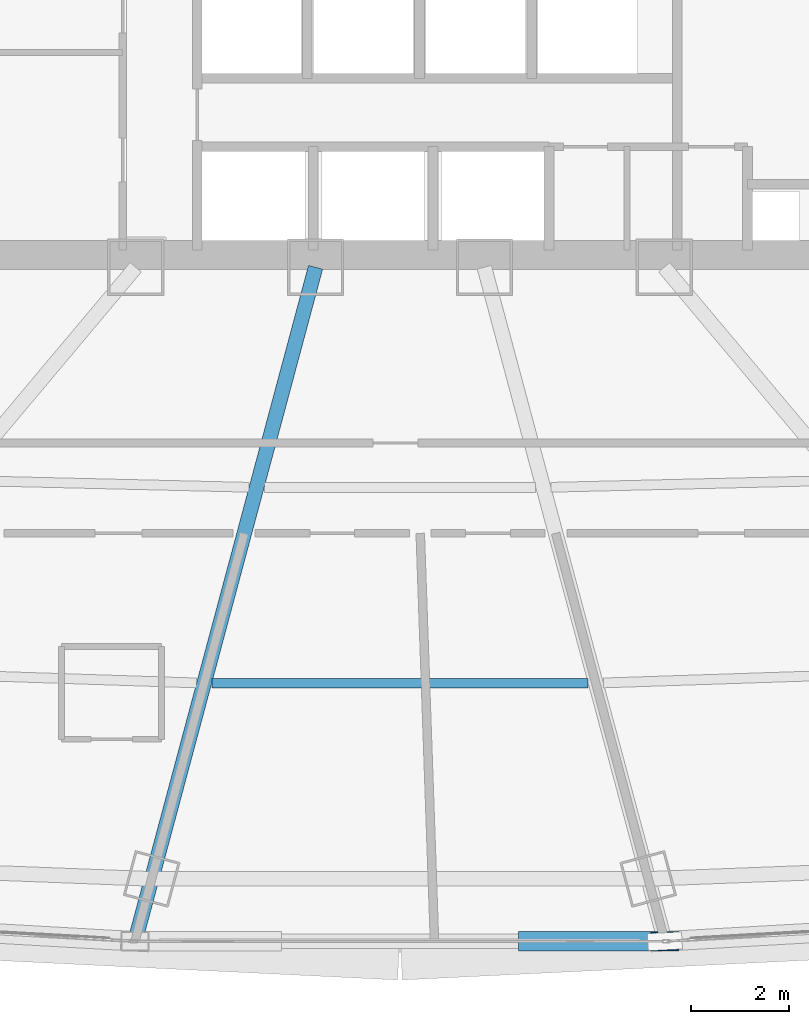
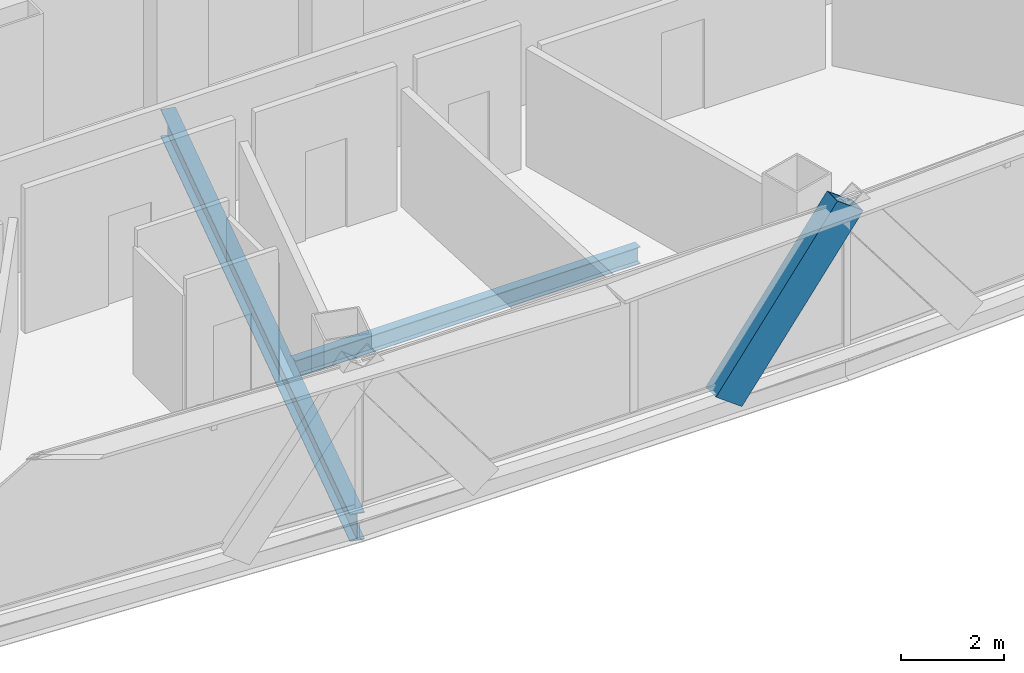
# One storey, part 11 of 41: 2 beams, 1 member.
"""IFC4 building model written with IfcOpenShell, lengths in metres."""

from ifc_helpers import new_model, si_unit, direction, frame, origin, origin_2d, place, context, subcontext, project, spatial, hollow_rectangle, i_section, extrude, source, transform, mapped, material, material_profile, profile_set, type_object, element, save


model = new_model("IFC4")

# Units and contexts
model_context = context("Model", 3, precision=1e-05, world=origin(), true_north=direction((0.0, 1.0)))
body_context = subcontext(model_context, "Body", "Model", "MODEL_VIEW")
ifc_project = project(units=[si_unit("LENGTHUNIT", "METRE"), si_unit("AREAUNIT", "SQUARE_METRE"), si_unit("VOLUMEUNIT", "CUBIC_METRE"), si_unit("PLANEANGLEUNIT", "RADIAN"), si_unit("MASSUNIT", "GRAM", prefix="KILO"), si_unit("THERMODYNAMICTEMPERATUREUNIT", "KELVIN"), si_unit("POWERUNIT", "WATT")], contexts=[model_context])

# Site, building, storey
site_placement = place(None, origin())
site = spatial("IfcSite", under=ifc_project, at=site_placement, CompositionType="ELEMENT")
building_placement = place(site_placement, origin())
building = spatial("IfcBuilding", under=site, at=building_placement, Name="Yunzhuo Pagoda Commons", CompositionType="ELEMENT")
storey_placement = place(building_placement, frame((0.0, 0.0, 155.590087890625)))
storey = spatial("IfcBuildingStorey", under=building, at=storey_placement, Name="L39", CompositionType="ELEMENT", Elevation=155.590087890625)

# Beams
ifc_material = material(Name="Structural steel Q355B", Category="steel")
ifc_material_profile_1 = material_profile(ifc_material, i_section(OverallWidth=0.199951171875, OverallDepth=0.39990234375, WebThickness=0.008056640625, FlangeThickness=0.012939453125, at=origin_2d()), Name="Structural steel Q355B")
ifc_profile_set_1 = profile_set([ifc_material_profile_1], Name="Structural steel Q355B")
beam_type_1 = type_object("IfcBeamType", Name="B-JS1 Joist HN 400x200x8x13", PredefinedType="JOIST", material=ifc_profile_set_1)
shared_shape_1 = source(origin(), body_context, "Body", "SweptSolid", [
    extrude(i_section(OverallWidth=0.199951171875, OverallDepth=0.39990234375, WebThickness=0.008056640625, FlangeThickness=0.012939453125, at=origin_2d()), origin(), (0.0, 0.0, 1.0), 7.7041015625),
])
beam_1_placement = place(storey_placement, frame((44.14794921875, 18.730712890625, -0.460205078125), z_axis=(1.0, 0.0, 0.0), x_axis=(0.0, 1.0, 0.0)))
element("IfcBeam", 1, at=beam_1_placement, inside=storey, type_object=beam_type_1, Name="L39 composite ring joist 2.2", PredefinedType="JOIST", context=body_context, shape_type="MappedRepresentation", body=[
    mapped(shared_shape_1, transform((0.0, 0.0, 0.0), scale=1.0)),
])
ifc_material_profile_2 = material_profile(ifc_material, i_section(OverallWidth=0.300048828125, OverallDepth=0.64990234375, WebThickness=0.012939453125, FlangeThickness=0.02197265625, at=origin_2d()), Name="Structural steel Q355B")
ifc_profile_set_2 = profile_set([ifc_material_profile_2], Name="Structural steel Q355B")
beam_type_2 = type_object("IfcBeamType", Name="B-RG2 Beam HN 650x300x13x22", PredefinedType="BEAM", material=ifc_profile_set_2)
shared_shape_2 = source(origin(), body_context, "Body", "SweptSolid", [
    extrude(i_section(OverallWidth=0.300048828125, OverallDepth=0.64990234375, WebThickness=0.012939453125, FlangeThickness=0.02197265625, at=origin_2d()), origin(), (0.0, 0.0, 1.0), 14.137939453125),
])
beam_2_placement = place(storey_placement, frame((42.612548828125, 13.59375, -0.585205078125), z_axis=(0.258835059524, 0.965921535095, 0.0), x_axis=(-0.965921535095, 0.258835059524, 0.0)))
element("IfcBeam", 2, at=beam_2_placement, inside=storey, type_object=beam_type_2, Name="L39 radial floor girder F1C2", PredefinedType="BEAM", context=body_context, shape_type="MappedRepresentation", body=[
    mapped(shared_shape_2, transform((0.0, 0.0, 0.0), scale=1.0)),
])

# Member
ifc_material_profile_3 = material_profile(ifc_material, hollow_rectangle(XDim=0.39990234375, YDim=0.719970703125, WallThickness=0.02392578125, at=origin_2d()), Name="Structural steel Q355B")
ifc_profile_set_3 = profile_set([ifc_material_profile_3], Name="Structural steel Q355B")
member_type = type_object("IfcMemberType", Name="M-DL2 Brace BOX 720x400x24", PredefinedType="BRACE", material=ifc_profile_set_3)
shared_shape_3 = source(origin(), body_context, "Body", "SweptSolid", [
    extrude(hollow_rectangle(XDim=0.39990234375, YDim=0.719970703125, WallThickness=0.02392578125, at=origin_2d()), origin(), (0.0, 0.0, 1.0), 4.572265625),
])
member_placement = place(storey_placement, frame((50.7138671875, 13.44384765625, -0.260009765625), z_axis=(0.593495886815, 0.0, 0.804837022219), x_axis=(0.0, 1.0, 0.0)))
element("IfcMember", 3, at=member_placement, inside=storey, type_object=member_type, Name="L39 facade diamond brace F1.2R", PredefinedType="BRACE", context=body_context, shape_type="MappedRepresentation", body=[
    mapped(shared_shape_3, transform((0.0, 0.0, 0.0), scale=1.0)),
])

save(model, "model.ifc")
